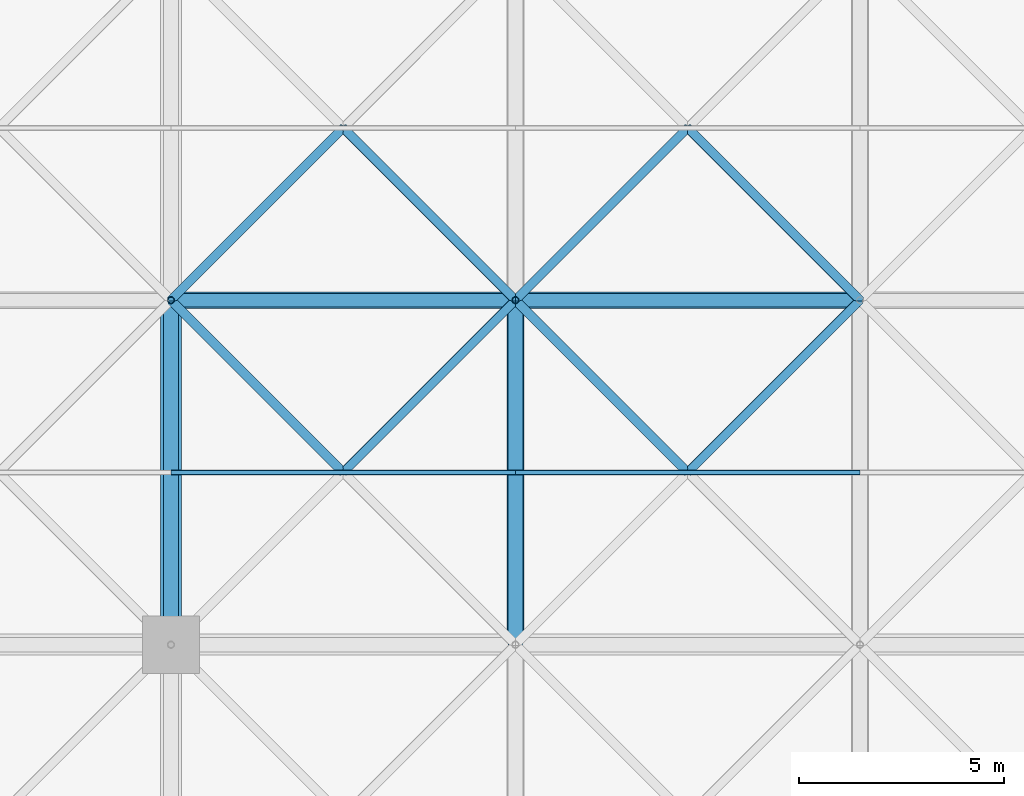
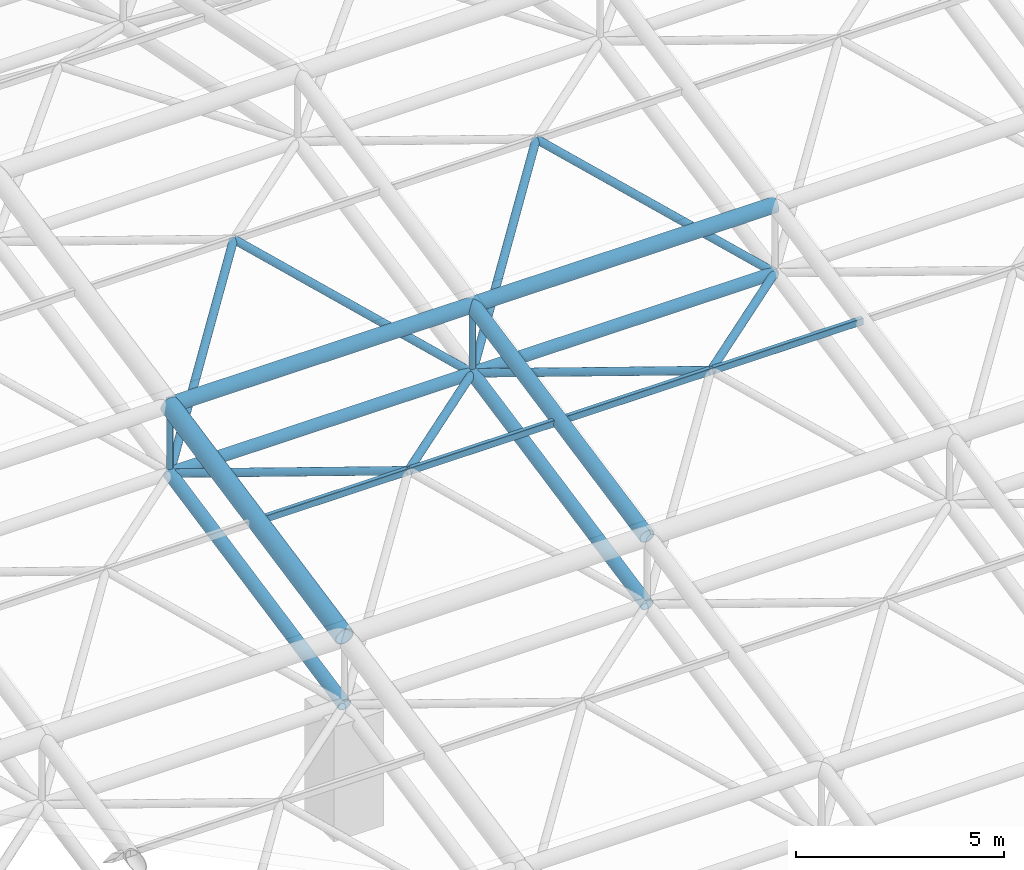
# One storey, part 29 of 81: 20 members.
"""IFC4 building model written with IfcOpenShell, lengths in metres."""

from ifc_helpers import new_model, si_unit, direction, frame, origin, origin_2d, place, context, subcontext, project, spatial, hollow_rectangle, hollow_circle, extrude, material, material_profile, profile_set, type_object, element, save


model = new_model("IFC4")

# Units and contexts
model_context = context("Model", 3, precision=1e-05, world=origin(), true_north=direction((0.0, 1.0)))
body_context = subcontext(model_context, "Body", "Model", "MODEL_VIEW")
ifc_project = project(units=[si_unit("LENGTHUNIT", "METRE"), si_unit("AREAUNIT", "SQUARE_METRE"), si_unit("VOLUMEUNIT", "CUBIC_METRE"), si_unit("PLANEANGLEUNIT", "RADIAN"), si_unit("MASSUNIT", "GRAM", prefix="KILO")], contexts=[model_context])

# Site, building, storey
site_placement = place(None, origin())
site = spatial("IfcSite", under=ifc_project, at=site_placement, CompositionType="ELEMENT")
building_placement = place(site_placement, origin())
building = spatial("IfcBuilding", under=site, at=building_placement, Name="Qawsi Khor Wholesale Market", CompositionType="ELEMENT")
storey_placement = place(building_placement, frame((0.0, 0.0, 16.199951171875)))
storey = spatial("IfcBuildingStorey", under=building, at=storey_placement, Name="L03", CompositionType="ELEMENT", Elevation=16.199951171875)

# Members
ifc_material = material(Name="Steel S355", Category="steel")
ifc_material_profile_1 = material_profile(ifc_material, hollow_circle(Radius=0.177734375, WallThickness=0.01611328125, at=origin_2d()), Name="CHS 355.6x16.0")
ifc_profile_set_1 = profile_set([ifc_material_profile_1], Name="Steel S355")
member_type_1 = type_object("IfcMemberType", Name="Space-Frame Bottom Chord CHS 355.6x16.0", PredefinedType="CHORD", material=ifc_profile_set_1)
for number, where, z_axis, x_axis, name in (
    (1, (16.800048828125, 58.800048828125, 3.3701171875), (0.0, 0.980129990483, 0.1983562496), (-1.0, 0.0, 0.0), "Space frame bottom chord Y WH (2,7)"),
    (2, (25.199951171875, 58.800048828125, 3.3701171875), (0.0, 0.980129990483, 0.1983562496), (-1.0, 0.0, 0.0), "Space frame bottom chord Y WH (3,7)"),
):
    element("IfcMember", number, at=place(storey_placement, frame(where, z_axis=z_axis, x_axis=x_axis)), inside=storey, type_object=member_type_1, Name=name, PredefinedType="CHORD", context=body_context, shape_type="SweptSolid", body=[
        extrude(hollow_circle(Radius=0.177734375, WallThickness=0.01611328125, at=origin_2d()), origin(), (0.0, 0.0, 1.0), 8.5703125),
    ])
ifc_material_profile_2 = material_profile(ifc_material, hollow_rectangle(XDim=0.1201171875, YDim=0.199951171875, WallThickness=0.008056640625, InnerFilletRadius=0.008056640625, OuterFilletRadius=0.01611328125, at=origin_2d()), Name="RHS 200x120x8.0")
ifc_profile_set_2 = profile_set([ifc_material_profile_2], Name="Steel S355")
member_type_2 = type_object("IfcMemberType", Name="Space-Frame Heavy Purlin RHS 200x120x8.0", PredefinedType="PURLIN", material=ifc_profile_set_2)
member_1_placement = place(storey_placement, frame((16.800048828125, 63.0, 6.219970703125), z_axis=(1.0, 0.0, 0.0), x_axis=(0.0, 1.0, 0.0)))
element("IfcMember", 3, at=member_1_placement, inside=storey, type_object=member_type_2, Name="Space frame purlin WH (2,7)", PredefinedType="PURLIN", context=body_context, shape_type="SweptSolid", body=[
    extrude(hollow_rectangle(XDim=0.1201171875, YDim=0.199951171875, WallThickness=0.008056640625, InnerFilletRadius=0.008056640625, OuterFilletRadius=0.01611328125, at=origin_2d()), origin(), (0.0, 0.0, 1.0), 8.39990234375),
])
member_2_placement = place(storey_placement, frame((25.199951171875, 63.0, 6.219970703125), z_axis=(1.0, 0.0, 0.0), x_axis=(0.0, 1.0, 0.0)))
element("IfcMember", 4, at=member_2_placement, inside=storey, type_object=member_type_2, Name="Space frame purlin WH (3,7)", PredefinedType="PURLIN", context=body_context, shape_type="SweptSolid", body=[
    extrude(hollow_rectangle(XDim=0.1201171875, YDim=0.199951171875, WallThickness=0.008056640625, InnerFilletRadius=0.008056640625, OuterFilletRadius=0.01611328125, at=origin_2d()), origin(), (0.0, 0.0, 1.0), 8.400146484375),
])
ifc_material_profile_3 = material_profile(ifc_material, hollow_circle(Radius=0.109619140625, WallThickness=0.010009765625, at=origin_2d()), Name="CHS 219.1x10.0")
ifc_profile_set_3 = profile_set([ifc_material_profile_3], Name="Steel S355")
member_type_3 = type_object("IfcMemberType", Name="Space-Frame Inner Diagonal CHS 219.1x10.0", PredefinedType="RAFTER", material=ifc_profile_set_3)
for number, where, z_axis, x_axis, name in (
    (5, (25.199951171875, 67.199951171875, 5.070068359375), (-0.694216714393, -0.694216714393, 0.190069216113), (0.707106781187, -0.707106781187, 0.0), "Space frame diagonal WH (2,7)-3"),
    (6, (16.800048828125, 67.199951171875, 5.070068359375), (0.694216714393, -0.694216714393, 0.190069216113), (0.707106781187, 0.707106781187, 0.0), "Space frame diagonal WH (2,7)-4"),
):
    element("IfcMember", number, at=place(storey_placement, frame(where, z_axis=z_axis, x_axis=x_axis)), inside=storey, type_object=member_type_3, Name=name, PredefinedType="RAFTER", context=body_context, shape_type="SweptSolid", body=[
        extrude(hollow_circle(Radius=0.109619140625, WallThickness=0.010009765625, at=origin_2d()), origin(), (0.0, 0.0, 1.0), 6.0498046875),
    ])
for number, where, z_axis, x_axis, name in (
    (7, (16.800048828125, 67.199951171875, 5.070068359375), (0.637511741089, 0.637511741089, 0.432617105474), (-0.707106781187, 0.707106781187, 0.0), "Space frame diagonal WH (2,8)-1"),
    (8, (25.199951171875, 67.199951171875, 5.070068359375), (-0.637511741089, 0.637511741089, 0.432617105474), (-0.707106781187, -0.707106781187, 0.0), "Space frame diagonal WH (2,8)-2"),
):
    element("IfcMember", number, at=place(storey_placement, frame(where, z_axis=z_axis, x_axis=x_axis)), inside=storey, type_object=member_type_3, Name=name, PredefinedType="RAFTER", context=body_context, shape_type="SweptSolid", body=[
        extrude(hollow_circle(Radius=0.109619140625, WallThickness=0.010009765625, at=origin_2d()), origin(), (0.0, 0.0, 1.0), 6.588134765625),
    ])
member_3_placement = place(storey_placement, frame((33.60009765625, 67.199951171875, 5.070068359375), z_axis=(-0.694237619642, -0.694197266374, 0.19006389145), x_axis=(0.70708622964, -0.707127332136, 0.0)))
element("IfcMember", 9, at=member_3_placement, inside=storey, type_object=member_type_3, Name="Space frame diagonal WH (3,7)-3", PredefinedType="RAFTER", context=body_context, shape_type="SweptSolid", body=[
    extrude(hollow_circle(Radius=0.109619140625, WallThickness=0.010009765625, at=origin_2d()), origin(), (0.0, 0.0, 1.0), 6.050048828125),
])
member_4_placement = place(storey_placement, frame((25.199951171875, 67.199951171875, 5.070068359375), z_axis=(0.694216714393, -0.694216714393, 0.190069216113), x_axis=(0.707106781187, 0.707106781187, 0.0)))
element("IfcMember", 10, at=member_4_placement, inside=storey, type_object=member_type_3, Name="Space frame diagonal WH (3,7)-4", PredefinedType="RAFTER", context=body_context, shape_type="SweptSolid", body=[
    extrude(hollow_circle(Radius=0.109619140625, WallThickness=0.010009765625, at=origin_2d()), origin(), (0.0, 0.0, 1.0), 6.0498046875),
])
for number, where, z_axis, x_axis, name in (
    (11, (25.199951171875, 67.199951171875, 5.070068359375), (0.637511741089, 0.637511741089, 0.432617105474), (-0.707106781187, 0.707106781187, 0.0), "Space frame diagonal WH (3,8)-1"),
    (12, (33.60009765625, 67.199951171875, 5.070068359375), (-0.637533737254, 0.637496679957, 0.432606884951), (-0.70708622964, -0.707127332136, 0.0), "Space frame diagonal WH (3,8)-2"),
):
    element("IfcMember", number, at=place(storey_placement, frame(where, z_axis=z_axis, x_axis=x_axis)), inside=storey, type_object=member_type_3, Name=name, PredefinedType="RAFTER", context=body_context, shape_type="SweptSolid", body=[
        extrude(hollow_circle(Radius=0.109619140625, WallThickness=0.010009765625, at=origin_2d()), origin(), (0.0, 0.0, 1.0), 6.588134765625),
    ])
ifc_material_profile_4 = material_profile(ifc_material, hollow_circle(Radius=0.25390625, WallThickness=0.02490234375, at=origin_2d()), Name="CHS 508.0x25.0")
ifc_profile_set_4 = profile_set([ifc_material_profile_4], Name="Steel S355")
member_type_4 = type_object("IfcMemberType", Name="Space-Frame Main Chord CHS 508.0x25.0", PredefinedType="CHORD", material=ifc_profile_set_4)
member_5_placement = place(storey_placement, frame((16.800048828125, 58.800048828125, 5.3701171875), z_axis=(0.0, 0.980129990483, 0.1983562496), x_axis=(-1.0, 0.0, 0.0)))
element("IfcMember", 13, at=member_5_placement, inside=storey, type_object=member_type_4, Name="Space frame top chord Y WH (2,7)", PredefinedType="CHORD", context=body_context, shape_type="SweptSolid", body=[
    extrude(hollow_circle(Radius=0.25390625, WallThickness=0.02490234375, at=origin_2d()), origin(), (0.0, 0.0, 1.0), 8.5703125),
])
ifc_material_profile_5 = material_profile(ifc_material, hollow_circle(Radius=0.161865234375, WallThickness=0.01611328125, at=origin_2d()), Name="CHS 323.9x16.0")
ifc_profile_set_5 = profile_set([ifc_material_profile_5], Name="Steel S355")
member_type_5 = type_object("IfcMemberType", Name="Space-Frame Secondary Chord CHS 323.9x16.0", PredefinedType="CHORD", material=ifc_profile_set_5)
member_6_placement = place(storey_placement, frame((16.800048828125, 67.199951171875, 5.070068359375), z_axis=(1.0, 0.0, 0.0), x_axis=(0.0, 1.0, 0.0)))
element("IfcMember", 14, at=member_6_placement, inside=storey, type_object=member_type_5, Name="Space frame bottom chord X WH (2,8)", PredefinedType="CHORD", context=body_context, shape_type="SweptSolid", body=[
    extrude(hollow_circle(Radius=0.161865234375, WallThickness=0.01611328125, at=origin_2d()), origin(), (0.0, 0.0, 1.0), 8.39990234375),
])
member_7_placement = place(storey_placement, frame((25.199951171875, 67.199951171875, 5.070068359375), z_axis=(1.0, 0.0, 0.0), x_axis=(0.0, 1.0, 0.0)))
element("IfcMember", 15, at=member_7_placement, inside=storey, type_object=member_type_5, Name="Space frame bottom chord X WH (3,8)", PredefinedType="CHORD", context=body_context, shape_type="SweptSolid", body=[
    extrude(hollow_circle(Radius=0.161865234375, WallThickness=0.01611328125, at=origin_2d()), origin(), (0.0, 0.0, 1.0), 8.400146484375),
])
ifc_material_profile_6 = material_profile(ifc_material, hollow_circle(Radius=0.203125, WallThickness=0.02001953125, at=origin_2d()), Name="CHS 406.4x20.0")
ifc_profile_set_6 = profile_set([ifc_material_profile_6], Name="Steel S355")
member_type_6 = type_object("IfcMemberType", Name="Space-Frame Top Chord CHS 406.4x20.0", PredefinedType="CHORD", material=ifc_profile_set_6)
member_8_placement = place(storey_placement, frame((16.800048828125, 67.199951171875, 7.070068359375), z_axis=(1.0, 0.0, 0.0), x_axis=(0.0, 1.0, 0.0)))
element("IfcMember", 16, at=member_8_placement, inside=storey, type_object=member_type_6, Name="Space frame top chord X WH (2,8)", PredefinedType="CHORD", context=body_context, shape_type="SweptSolid", body=[
    extrude(hollow_circle(Radius=0.203125, WallThickness=0.02001953125, at=origin_2d()), origin(), (0.0, 0.0, 1.0), 8.39990234375),
])
member_9_placement = place(storey_placement, frame((25.199951171875, 58.800048828125, 5.3701171875), z_axis=(0.0, 0.980129990483, 0.1983562496), x_axis=(-1.0, 0.0, 0.0)))
element("IfcMember", 17, at=member_9_placement, inside=storey, type_object=member_type_6, Name="Space frame top chord Y WH (3,7)", PredefinedType="CHORD", context=body_context, shape_type="SweptSolid", body=[
    extrude(hollow_circle(Radius=0.203125, WallThickness=0.02001953125, at=origin_2d()), origin(), (0.0, 0.0, 1.0), 8.5703125),
])
member_10_placement = place(storey_placement, frame((25.199951171875, 67.199951171875, 7.070068359375), z_axis=(1.0, 0.0, 0.0), x_axis=(0.0, 1.0, 0.0)))
element("IfcMember", 18, at=member_10_placement, inside=storey, type_object=member_type_6, Name="Space frame top chord X WH (3,8)", PredefinedType="CHORD", context=body_context, shape_type="SweptSolid", body=[
    extrude(hollow_circle(Radius=0.203125, WallThickness=0.02001953125, at=origin_2d()), origin(), (0.0, 0.0, 1.0), 8.400146484375),
])
ifc_material_profile_7 = material_profile(ifc_material, hollow_circle(Radius=0.084228515625, WallThickness=0.008056640625, at=origin_2d()), Name="CHS 168.3x8.0")
ifc_profile_set_7 = profile_set([ifc_material_profile_7], Name="Steel S355")
member_type_7 = type_object("IfcMemberType", Name="Space-Frame Vertical Strut CHS 168.3x8.0", PredefinedType="STRUT", material=ifc_profile_set_7)
for number, where, z_axis, x_axis, name in (
    (19, (16.800048828125, 67.199951171875, 5.070068359375), (0.0, 0.0, 1.0), (1.0, 0.0, 0.0), "Space frame post WH (2,8)"),
    (20, (25.199951171875, 67.199951171875, 5.070068359375), (0.0, 0.0, 1.0), (1.0, 0.0, 0.0), "Space frame post WH (3,8)"),
):
    element("IfcMember", number, at=place(storey_placement, frame(where, z_axis=z_axis, x_axis=x_axis)), inside=storey, type_object=member_type_7, Name=name, PredefinedType="STRUT", context=body_context, shape_type="SweptSolid", body=[
        extrude(hollow_circle(Radius=0.084228515625, WallThickness=0.008056640625, at=origin_2d()), origin(), (0.0, 0.0, 1.0), 2.0),
    ])

save(model, "model.ifc")
